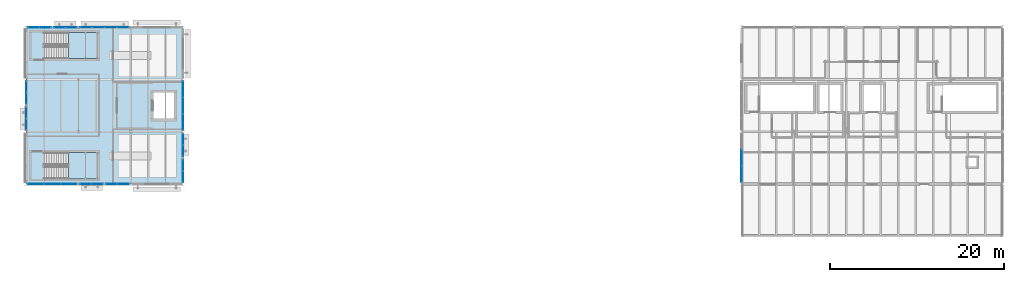
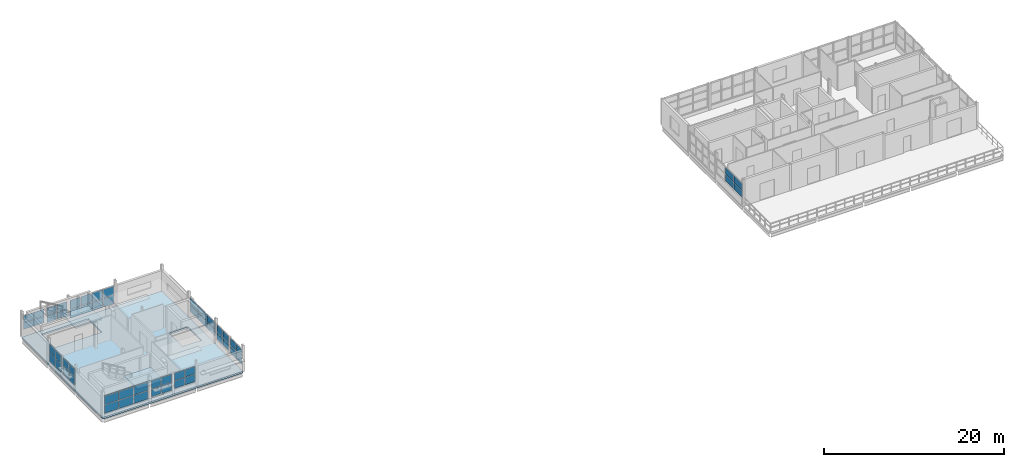
# One storey, part 10 of 20: 56 plates, 3 slabs, 14 elements without a shape of their own.
"""IFC4 building model written with IfcOpenShell, lengths in metres."""

import ifcopenshell
import ifcopenshell.guid

model = None  # the IFC model being written
_history = None  # IfcOwnerHistory: only IFC2X3 demands one
_inside = {}  # id of a spatial element -> (the spatial element, [elements in it])
_under = {}  # id of a project, library or spatial element -> (it, [spatial elements below it])
_declared = {}  # id of a project -> (the project, [libraries it declares])
_typed = {}  # id of a type object -> (the type object, [elements of that type])
_made_of = {}  # id of a material, layer set ... -> (it, [elements and type objects made of it])


def new_model(schema):
    """Start an empty IFC model of exactly this schema.

    Asked for "IFC4X3", IfcOpenShell would pick the latest addendum, in which some entities
    have other attributes; the version numbers below select the first issue.
    IFC2X3 requires an IfcOwnerHistory on every rooted entity: one is made here for all.
    """
    global model, _history
    if schema == "IFC4X3":
        model = ifcopenshell.file(schema_version=(4, 3, 0, 0))
    else:
        model = ifcopenshell.file(schema=schema)
    _inside.clear()
    _under.clear()
    _declared.clear()
    _typed.clear()
    _made_of.clear()
    _history = None
    if model.schema == "IFC2X3":
        org = make("IfcOrganization", Name="unknown")
        user = make(
            "IfcPersonAndOrganization",
            ThePerson=make("IfcPerson", FamilyName="unknown"),
            TheOrganization=org,
        )
        app = make(
            "IfcApplication",
            ApplicationDeveloper=org,
            Version="unknown",
            ApplicationFullName="unknown",
            ApplicationIdentifier="unknown",
        )
        _history = make(
            "IfcOwnerHistory",
            OwningUser=user,
            OwningApplication=app,
            ChangeAction="ADDED",
            CreationDate=0,
        )
    return model


def make(cls, **values):
    """One entity of the class cls with the attributes given. An attribute that is None is left unset."""
    return model.create_entity(
        cls, **{name: value for name, value in values.items() if value is not None}
    )


def rooted(cls, **values):
    """An entity with a GlobalId (a new one), such as an element, a storey or a relation."""
    return make(cls, GlobalId=ifcopenshell.guid.new(), OwnerHistory=_history, **values)


def si_unit(unit_type, name, prefix=None):
    """IfcSIUnit, for example si_unit("LENGTHUNIT", "METRE", prefix="MILLI")."""
    return make("IfcSIUnit", UnitType=unit_type, Prefix=prefix, Name=name)


def assignment(units):
    """IfcUnitAssignment: the units of a project."""
    return None if units is None else make("IfcUnitAssignment", Units=units)


def point(xyz):
    """IfcCartesianPoint."""
    return None if xyz is None else make("IfcCartesianPoint", Coordinates=xyz)


def direction(xyz):
    """IfcDirection."""
    return None if xyz is None else make("IfcDirection", DirectionRatios=xyz)


def frame(location, z_axis=None, x_axis=None):
    """IfcAxis2Placement3D, a coordinate frame: its origin and axes. An axis left out is left unset."""
    return make(
        "IfcAxis2Placement3D",
        Location=point(location),
        Axis=direction(z_axis),
        RefDirection=direction(x_axis),
    )


def frame_2d(location, x_axis=None):
    """IfcAxis2Placement2D, a coordinate frame in the plane: its origin and x axis."""
    return make(
        "IfcAxis2Placement2D", Location=point(location), RefDirection=direction(x_axis)
    )


def origin():
    """The frame at (0, 0, 0) with its axes left unset."""
    return frame((0.0, 0.0, 0.0))


def origin_2d():
    """The frame at (0, 0) in the plane with its x axis left unset."""
    return frame_2d((0.0, 0.0))


def place(relative_to, where):
    """IfcLocalPlacement: puts the frame where relative to a parent placement (None: the world)."""
    return make(
        "IfcLocalPlacement", PlacementRelTo=relative_to, RelativePlacement=where
    )


def context(
    kind, dimensions, precision=None, world=None, true_north=None, identifier=None
):
    """IfcGeometricRepresentationContext, for example the 3D "Model" context."""
    return make(
        "IfcGeometricRepresentationContext",
        ContextIdentifier=identifier,
        ContextType=kind,
        CoordinateSpaceDimension=dimensions,
        Precision=precision,
        WorldCoordinateSystem=world,
        TrueNorth=true_north,
    )


def subcontext(parent, identifier, kind, view, scale=None):
    """IfcGeometricRepresentationSubContext, for example "Body" below "Model"."""
    return make(
        "IfcGeometricRepresentationSubContext",
        ContextIdentifier=identifier,
        ContextType=kind,
        ParentContext=parent,
        TargetScale=scale,
        TargetView=view,
    )


def project(units=None, contexts=None):
    """IfcProject with its units and contexts."""
    return rooted(
        "IfcProject",
        Name="project",
        RepresentationContexts=contexts,
        UnitsInContext=assignment(units),
    )


def spatial(cls, under=None, at=None, **own):
    """A site, building, storey or space (cls), placed at a placement, below another one or the project."""
    s = rooted(cls, ObjectPlacement=at, **own)
    if under is not None:
        _under.setdefault(under.id(), (under, []))[1].append(s)
    return s


def polyline(points):
    """IfcPolyline through the points."""
    return make("IfcPolyline", Points=[point(p) for p in points])


def profile(cls, at=None, kind="AREA", **sizes):
    """A parametric profile (cls). Its sizes go by their IFC names, for example OverallWidth=200.0."""
    return make(cls, ProfileType=kind, Position=at, **sizes)


def rectangle(**sizes):
    """IfcRectangleProfileDef."""
    return profile("IfcRectangleProfileDef", **sizes)


def outline(outer, holes=None, kind="AREA"):
    """IfcArbitraryClosedProfileDef: a profile drawn as a closed curve; with holes, ...WithVoids."""
    if holes is None:
        return make("IfcArbitraryClosedProfileDef", ProfileType=kind, OuterCurve=outer)
    return make(
        "IfcArbitraryProfileDefWithVoids",
        ProfileType=kind,
        OuterCurve=outer,
        InnerCurves=holes,
    )


def extrude(swept, where, along, depth):
    """IfcExtrudedAreaSolid: the profile swept, set in the frame where, extruded along a direction by depth."""
    return make(
        "IfcExtrudedAreaSolid",
        SweptArea=swept,
        Position=where,
        ExtrudedDirection=direction(along),
        Depth=depth,
    )


def shape(context_of_items, identifier, shape_type, items):
    """IfcShapeRepresentation: the items that make up one representation, for example the "Body"."""
    return make(
        "IfcShapeRepresentation",
        ContextOfItems=context_of_items,
        RepresentationIdentifier=identifier,
        RepresentationType=shape_type,
        Items=items,
    )


def material(Name=None, Category=None):
    """IfcMaterial."""
    return make("IfcMaterial", Name=Name, Category=Category)


def layer(
    of_material, thickness, ventilated=None, Name=None, Category=None, Priority=None
):
    """IfcMaterialLayer: one layer of a wall or slab, of a material (None: an air gap)."""
    return make(
        "IfcMaterialLayer",
        Material=of_material,
        LayerThickness=thickness,
        IsVentilated=ventilated,
        Name=Name,
        Category=Category,
        Priority=Priority,
    )


def layer_set(layers, Name=None):
    """IfcMaterialLayerSet."""
    return make("IfcMaterialLayerSet", MaterialLayers=layers, LayerSetName=Name)


def made_of(thing, what):
    """Note that an element or type object is made of a material, layer set ...; save() writes the relation."""
    if what is not None:
        _made_of.setdefault(what.id(), (what, []))[1].append(thing)
    return thing


def type_object(cls, material=None, **own):
    """A type object (cls), such as IfcWallType, which elements share."""
    return made_of(rooted(cls, **own), material)


def element(
    cls,
    number,
    at=None,
    inside=None,
    cuts=None,
    type_object=None,
    material=None,
    context=None,
    identifier="Body",
    shape_type=None,
    held_by="IfcProductDefinitionShape",
    body=None,
    shapes=None,
    **own,
):
    """One element of the class cls, such as IfcWall. Its Tag is "e" and its number.

    at: its placement. inside: the storey or other place that contains it. cuts: it is an
    opening in that element (IfcRelVoidsElement). A single representation is given by context,
    identifier, shape_type and body (its items); several are given by shapes. held_by: the class
    of the entity that holds the representations. save() writes the other relations.
    """
    e = rooted(cls, Tag="e%d" % number, ObjectPlacement=at, **own)
    if body is not None:
        shapes = [shape(context, identifier, shape_type, body)]
    if shapes is not None:
        e.Representation = make(held_by, Representations=shapes)
    if inside is not None:
        _inside.setdefault(inside.id(), (inside, []))[1].append(e)
    if cuts is not None:
        rooted(
            "IfcRelVoidsElement", RelatingBuildingElement=cuts, RelatedOpeningElement=e
        )
    if type_object is not None:
        _typed.setdefault(type_object.id(), (type_object, []))[1].append(e)
    return made_of(e, material)


def aggregate(whole, parts):
    """IfcRelAggregates: a whole, such as a stair, and the parts it consists of."""
    return rooted("IfcRelAggregates", RelatingObject=whole, RelatedObjects=parts)


def save(model, path):
    """Write the relations noted so far, then the file.

    IfcRelAggregates (storeys below a building ...), IfcRelContainedInSpatialStructure (elements
    in a storey), IfcRelDefinesByType, IfcRelAssociatesMaterial and IfcRelDeclares: one each for
    every whole, place, type object, material and project.
    """
    for whole, parts in _under.values():
        aggregate(whole, parts)
    for where, things in _inside.values():
        rooted(
            "IfcRelContainedInSpatialStructure",
            RelatedElements=things,
            RelatingStructure=where,
        )
    for kind, things in _typed.values():
        rooted("IfcRelDefinesByType", RelatedObjects=things, RelatingType=kind)
    for what, things in _made_of.values():
        rooted("IfcRelAssociatesMaterial", RelatedObjects=things, RelatingMaterial=what)
    for by, libraries in _declared.values():
        rooted("IfcRelDeclares", RelatingContext=by, RelatedDefinitions=libraries)
    model.write(path)


model = new_model("IFC4")

# Units and contexts
model_context = context("Model", 3, precision=1e-05, world=origin(), true_north=direction((0.0, 1.0)))
body_context = subcontext(model_context, "Body", "Model", "MODEL_VIEW")
ifc_project = project(units=[si_unit("LENGTHUNIT", "METRE"), si_unit("AREAUNIT", "SQUARE_METRE"), si_unit("VOLUMEUNIT", "CUBIC_METRE"), si_unit("PLANEANGLEUNIT", "RADIAN"), si_unit("MASSUNIT", "GRAM", prefix="KILO")], contexts=[model_context])

# Site, building, storey
site_placement = place(None, origin())
site = spatial("IfcSite", under=ifc_project, at=site_placement, CompositionType="ELEMENT")
building_placement = place(site_placement, origin())
building = spatial("IfcBuilding", under=site, at=building_placement, Name="Siltcreek Boulevard Central Fire Station", CompositionType="ELEMENT")
storey_placement = place(building_placement, frame((0.0, 0.0, 18.0)))
storey = spatial("IfcBuildingStorey", under=building, at=storey_placement, Name="L05", CompositionType="ELEMENT", Elevation=18.0)

# Curtain wall, plates
ifc_material_1 = material(Name="Anodized aluminum and low-E insulated glazing", Category="aluminium")
curtain_wall_type_1 = type_object("IfcCurtainWallType", Name="CW_SYS_10", PredefinedType="USERDEFINED", material=ifc_material_1)
curtain_wall_1_placement = place(storey_placement, origin())
curtain_wall_1 = element("IfcCurtainWall", 1, at=curtain_wall_1_placement, inside=storey, type_object=curtain_wall_type_1, Name="L05 V3 unitised curtain wall CW-069", ObjectType="CURTAIN WALL", PredefinedType="USERDEFINED")
ifc_material_2 = material(Name="Low-E double insulated glass unit", Category="glass")
ifc_layer_1 = layer(ifc_material_2, 0.028076171875, Name="Low-E double insulated glass unit")
ifc_layer_set_1 = layer_set([ifc_layer_1], Name="Low-E double insulated glass unit")
plate_type_1 = type_object("IfcPlateType", Name="CWP_GLZ_1", PredefinedType="CURTAIN_PANEL", material=ifc_layer_set_1)
plate_1_placement = place(storey_placement, frame((51.833740234375, 94.199951171875, 0.739990234375), z_axis=(0.0, 0.0, 1.0), x_axis=(1.0, 0.0, 0.0)))
plate_1 = element("IfcPlate", 2, at=plate_1_placement, type_object=plate_type_1, Name="CW-069 panel 1.1", PredefinedType="CURTAIN_PANEL", context=body_context, shape_type="SweptSolid", body=[
    extrude(rectangle(XDim=1.267578125, YDim=0.028076171875, at=origin_2d()), origin(), (0.0, 0.0, 1.0), 1.00439453125),
])
plate_2_placement = place(storey_placement, frame((51.833740234375, 94.199951171875, 1.804443359375), z_axis=(0.0, 0.0, 1.0), x_axis=(1.0, 0.0, 0.0)))
plate_2 = element("IfcPlate", 3, at=plate_2_placement, type_object=plate_type_1, Name="CW-069 panel 1.2", PredefinedType="CURTAIN_PANEL", context=body_context, shape_type="SweptSolid", body=[
    extrude(rectangle(XDim=1.267578125, YDim=0.028076171875, at=origin_2d()), origin(), (0.0, 0.0, 1.0), 1.00439453125),
])
plate_3_placement = place(storey_placement, frame((53.1611328125, 94.199951171875, 0.739990234375), z_axis=(0.0, 0.0, 1.0), x_axis=(1.0, 0.0, 0.0)))
plate_3 = element("IfcPlate", 4, at=plate_3_placement, type_object=plate_type_1, Name="CW-069 panel 2.1", PredefinedType="CURTAIN_PANEL", context=body_context, shape_type="SweptSolid", body=[
    extrude(rectangle(XDim=1.267578125, YDim=0.028076171875, at=origin_2d()), origin(), (0.0, 0.0, 1.0), 1.00439453125),
])
plate_4_placement = place(storey_placement, frame((53.1611328125, 94.199951171875, 1.804443359375), z_axis=(0.0, 0.0, 1.0), x_axis=(1.0, 0.0, 0.0)))
plate_4 = element("IfcPlate", 5, at=plate_4_placement, type_object=plate_type_1, Name="CW-069 panel 2.2", PredefinedType="CURTAIN_PANEL", context=body_context, shape_type="SweptSolid", body=[
    extrude(rectangle(XDim=1.267578125, YDim=0.028076171875, at=origin_2d()), origin(), (0.0, 0.0, 1.0), 1.00439453125),
])
aggregate(curtain_wall_1, [plate_1, plate_2, plate_3, plate_4])

curtain_wall_type_2 = type_object("IfcCurtainWallType", Name="CW_SYS_13", PredefinedType="USERDEFINED", material=ifc_material_1)
curtain_wall_2_placement = place(storey_placement, origin())
curtain_wall_2 = element("IfcCurtainWall", 6, at=curtain_wall_2_placement, inside=storey, type_object=curtain_wall_type_2, Name="L05 V3 unitised curtain wall CW-072", ObjectType="CURTAIN WALL", PredefinedType="USERDEFINED")
plate_5_placement = place(storey_placement, frame((53.125, 112.199951171875, 0.384765625), z_axis=(0.0, 0.0, 1.0), x_axis=(-1.0, 0.0, 0.0)))
plate_5 = element("IfcPlate", 7, at=plate_5_placement, type_object=plate_type_1, Name="CW-072 panel 1.1", PredefinedType="CURTAIN_PANEL", context=body_context, shape_type="SweptSolid", body=[
    extrude(rectangle(XDim=1.330078125, YDim=0.028076171875, at=origin_2d()), origin(), (0.0, 0.0, 1.0), 1.177001953125),
])
plate_6_placement = place(storey_placement, frame((53.125, 112.199951171875, 1.626953125), z_axis=(0.0, 0.0, 1.0), x_axis=(-1.0, 0.0, 0.0)))
plate_6 = element("IfcPlate", 8, at=plate_6_placement, type_object=plate_type_1, Name="CW-072 panel 1.2", PredefinedType="CURTAIN_PANEL", context=body_context, shape_type="SweptSolid", body=[
    extrude(rectangle(XDim=1.330078125, YDim=0.028076171875, at=origin_2d()), origin(), (0.0, 0.0, 1.0), 1.177001953125),
])
plate_7_placement = place(storey_placement, frame((51.7138671875, 112.199951171875, 0.384765625), z_axis=(0.0, 0.0, 1.0), x_axis=(-1.0, 0.0, 0.0)))
plate_7 = element("IfcPlate", 9, at=plate_7_placement, type_object=plate_type_1, Name="CW-072 panel 2.1", PredefinedType="CURTAIN_PANEL", context=body_context, shape_type="SweptSolid", body=[
    extrude(rectangle(XDim=1.362548828125, YDim=0.028076171875, at=origin_2d()), origin(), (0.0, 0.0, 1.0), 1.177001953125),
])
plate_8_placement = place(storey_placement, frame((51.7138671875, 112.199951171875, 1.626953125), z_axis=(0.0, 0.0, 1.0), x_axis=(-1.0, 0.0, 0.0)))
plate_8 = element("IfcPlate", 10, at=plate_8_placement, type_object=plate_type_1, Name="CW-072 panel 2.2", PredefinedType="CURTAIN_PANEL", context=body_context, shape_type="SweptSolid", body=[
    extrude(rectangle(XDim=1.362548828125, YDim=0.028076171875, at=origin_2d()), origin(), (0.0, 0.0, 1.0), 1.177001953125),
])
plate_9_placement = place(storey_placement, frame((50.2861328125, 112.199951171875, 0.384765625), z_axis=(0.0, 0.0, 1.0), x_axis=(-1.0, 0.0, 0.0)))
plate_9 = element("IfcPlate", 11, at=plate_9_placement, type_object=plate_type_1, Name="CW-072 panel 3.1", PredefinedType="CURTAIN_PANEL", context=body_context, shape_type="SweptSolid", body=[
    extrude(rectangle(XDim=1.362548828125, YDim=0.028076171875, at=origin_2d()), origin(), (0.0, 0.0, 1.0), 1.177001953125),
])
plate_10_placement = place(storey_placement, frame((50.2861328125, 112.199951171875, 1.626953125), z_axis=(0.0, 0.0, 1.0), x_axis=(-1.0, 0.0, 0.0)))
plate_10 = element("IfcPlate", 12, at=plate_10_placement, type_object=plate_type_1, Name="CW-072 panel 3.2", PredefinedType="CURTAIN_PANEL", context=body_context, shape_type="SweptSolid", body=[
    extrude(rectangle(XDim=1.362548828125, YDim=0.028076171875, at=origin_2d()), origin(), (0.0, 0.0, 1.0), 1.177001953125),
])
plate_11_placement = place(storey_placement, frame((48.875, 112.199951171875, 0.384765625), z_axis=(0.0, 0.0, 1.0), x_axis=(-1.0, 0.0, 0.0)))
plate_11 = element("IfcPlate", 13, at=plate_11_placement, type_object=plate_type_1, Name="CW-072 panel 4.1", PredefinedType="CURTAIN_PANEL", context=body_context, shape_type="SweptSolid", body=[
    extrude(rectangle(XDim=1.330078125, YDim=0.028076171875, at=origin_2d()), origin(), (0.0, 0.0, 1.0), 1.177001953125),
])
plate_12_placement = place(storey_placement, frame((48.875, 112.199951171875, 1.626953125), z_axis=(0.0, 0.0, 1.0), x_axis=(-1.0, 0.0, 0.0)))
plate_12 = element("IfcPlate", 14, at=plate_12_placement, type_object=plate_type_1, Name="CW-072 panel 4.2", PredefinedType="CURTAIN_PANEL", context=body_context, shape_type="SweptSolid", body=[
    extrude(rectangle(XDim=1.330078125, YDim=0.028076171875, at=origin_2d()), origin(), (0.0, 0.0, 1.0), 1.177001953125),
])
aggregate(curtain_wall_2, [plate_5, plate_6, plate_7, plate_8, plate_9, plate_10, plate_11, plate_12])

curtain_wall_type_3 = type_object("IfcCurtainWallType", Name="CW_SYS_16", PredefinedType="USERDEFINED", material=ifc_material_1)
curtain_wall_3_placement = place(storey_placement, origin())
curtain_wall_3 = element("IfcCurtainWall", 15, at=curtain_wall_3_placement, inside=storey, type_object=curtain_wall_type_3, Name="L05 V3 unitised curtain wall CW-075", ObjectType="CURTAIN WALL", PredefinedType="USERDEFINED")
plate_13_placement = place(storey_placement, frame((60.0, 95.038818359375, 0.73974609375), z_axis=(0.0, 0.0, 1.0), x_axis=(0.0, 1.0, 0.0)))
plate_13 = element("IfcPlate", 16, at=plate_13_placement, type_object=plate_type_1, Name="CW-075 panel 1.1", PredefinedType="CURTAIN_PANEL", context=body_context, shape_type="SweptSolid", body=[
    extrude(rectangle(XDim=1.267578125, YDim=0.028076171875, at=origin_2d()), origin(), (0.0, 0.0, 1.0), 1.006591796875),
])
plate_14_placement = place(storey_placement, frame((60.0, 95.038818359375, 1.806640625), z_axis=(0.0, 0.0, 1.0), x_axis=(0.0, 1.0, 0.0)))
plate_14 = element("IfcPlate", 17, at=plate_14_placement, type_object=plate_type_1, Name="CW-075 panel 1.2", PredefinedType="CURTAIN_PANEL", context=body_context, shape_type="SweptSolid", body=[
    extrude(rectangle(XDim=1.267578125, YDim=0.028076171875, at=origin_2d()), origin(), (0.0, 0.0, 1.0), 1.006591796875),
])
plate_15_placement = place(storey_placement, frame((60.0, 96.3662109375, 0.73974609375), z_axis=(0.0, 0.0, 1.0), x_axis=(0.0, 1.0, 0.0)))
plate_15 = element("IfcPlate", 18, at=plate_15_placement, type_object=plate_type_1, Name="CW-075 panel 2.1", PredefinedType="CURTAIN_PANEL", context=body_context, shape_type="SweptSolid", body=[
    extrude(rectangle(XDim=1.267578125, YDim=0.028076171875, at=origin_2d()), origin(), (0.0, 0.0, 1.0), 1.006591796875),
])
plate_16_placement = place(storey_placement, frame((60.0, 96.3662109375, 1.806640625), z_axis=(0.0, 0.0, 1.0), x_axis=(0.0, 1.0, 0.0)))
plate_16 = element("IfcPlate", 19, at=plate_16_placement, type_object=plate_type_1, Name="CW-075 panel 2.2", PredefinedType="CURTAIN_PANEL", context=body_context, shape_type="SweptSolid", body=[
    extrude(rectangle(XDim=1.267578125, YDim=0.028076171875, at=origin_2d()), origin(), (0.0, 0.0, 1.0), 1.006591796875),
])
aggregate(curtain_wall_3, [plate_13, plate_14, plate_15, plate_16])

curtain_wall_type_4 = type_object("IfcCurtainWallType", Name="CW_SYS_08", PredefinedType="USERDEFINED", material=ifc_material_1)
curtain_wall_4_placement = place(storey_placement, origin())
curtain_wall_4 = element("IfcCurtainWall", 20, at=curtain_wall_4_placement, inside=storey, type_object=curtain_wall_type_4, Name="L05 V3 unitised curtain wall CW-067", ObjectType="CURTAIN WALL", PredefinedType="USERDEFINED")
ifc_layer_2 = layer(ifc_material_2, 0.0380859375, Name="Low-E double insulated glass unit")
ifc_layer_set_2 = layer_set([ifc_layer_2], Name="Low-E double insulated glass unit")
plate_type_2 = type_object("IfcPlateType", Name="CWP_GLZ_2", PredefinedType="CURTAIN_PANEL", material=ifc_layer_set_2)
plate_17_placement = place(storey_placement, frame((43.111572265625, 94.199951171875, 0.5), z_axis=(0.0, 0.0, 1.0), x_axis=(1.0, 0.0, 0.0)))
plate_17 = element("IfcPlate", 21, at=plate_17_placement, type_object=plate_type_2, Name="CW-067 panel 1.1", PredefinedType="CURTAIN_PANEL", context=body_context, shape_type="SweptSolid", body=[
    extrude(rectangle(XDim=1.813232421875, YDim=0.0380859375, at=origin_2d()), origin(), (0.0, 0.0, 1.0), 1.12451171875),
])
plate_18_placement = place(storey_placement, frame((43.111572265625, 94.199951171875, 1.6845703125), z_axis=(0.0, 0.0, 1.0), x_axis=(1.0, 0.0, 0.0)))
plate_18 = element("IfcPlate", 22, at=plate_18_placement, type_object=plate_type_2, Name="CW-067 panel 1.2", PredefinedType="CURTAIN_PANEL", context=body_context, shape_type="SweptSolid", body=[
    extrude(rectangle(XDim=1.813232421875, YDim=0.0380859375, at=origin_2d()), origin(), (0.0, 0.0, 1.0), 1.12451171875),
])
plate_19_placement = place(storey_placement, frame((45.0, 94.199951171875, 0.5), z_axis=(0.0, 0.0, 1.0), x_axis=(1.0, 0.0, 0.0)))
plate_19 = element("IfcPlate", 23, at=plate_19_placement, type_object=plate_type_2, Name="CW-067 panel 2.1", PredefinedType="CURTAIN_PANEL", context=body_context, shape_type="SweptSolid", body=[
    extrude(rectangle(XDim=1.84326171875, YDim=0.0380859375, at=origin_2d()), origin(), (0.0, 0.0, 1.0), 1.12451171875),
])
plate_20_placement = place(storey_placement, frame((45.0, 94.199951171875, 1.6845703125), z_axis=(0.0, 0.0, 1.0), x_axis=(1.0, 0.0, 0.0)))
plate_20 = element("IfcPlate", 24, at=plate_20_placement, type_object=plate_type_2, Name="CW-067 panel 2.2", PredefinedType="CURTAIN_PANEL", context=body_context, shape_type="SweptSolid", body=[
    extrude(rectangle(XDim=1.84326171875, YDim=0.0380859375, at=origin_2d()), origin(), (0.0, 0.0, 1.0), 1.12451171875),
])
plate_21_placement = place(storey_placement, frame((46.888427734375, 94.199951171875, 0.5), z_axis=(0.0, 0.0, 1.0), x_axis=(1.0, 0.0, 0.0)))
plate_21 = element("IfcPlate", 25, at=plate_21_placement, type_object=plate_type_2, Name="CW-067 panel 3.1", PredefinedType="CURTAIN_PANEL", context=body_context, shape_type="SweptSolid", body=[
    extrude(rectangle(XDim=1.813232421875, YDim=0.0380859375, at=origin_2d()), origin(), (0.0, 0.0, 1.0), 1.12451171875),
])
plate_22_placement = place(storey_placement, frame((46.888427734375, 94.199951171875, 1.6845703125), z_axis=(0.0, 0.0, 1.0), x_axis=(1.0, 0.0, 0.0)))
plate_22 = element("IfcPlate", 26, at=plate_22_placement, type_object=plate_type_2, Name="CW-067 panel 3.2", PredefinedType="CURTAIN_PANEL", context=body_context, shape_type="SweptSolid", body=[
    extrude(rectangle(XDim=1.813232421875, YDim=0.0380859375, at=origin_2d()), origin(), (0.0, 0.0, 1.0), 1.12451171875),
])
aggregate(curtain_wall_4, [plate_17, plate_18, plate_19, plate_20, plate_21, plate_22])

curtain_wall_type_5 = type_object("IfcCurtainWallType", Name="CW_SYS_11", PredefinedType="USERDEFINED", material=ifc_material_1)
curtain_wall_5_placement = place(storey_placement, origin())
curtain_wall_5 = element("IfcCurtainWall", 27, at=curtain_wall_5_placement, inside=storey, type_object=curtain_wall_type_5, Name="L05 V3 unitised curtain wall CW-070", ObjectType="CURTAIN WALL", PredefinedType="USERDEFINED")
plate_23_placement = place(storey_placement, frame((47.159912109375, 112.199951171875, 0.864990234375), z_axis=(0.0, 0.0, 1.0), x_axis=(-1.0, 0.0, 0.0)))
plate_23 = element("IfcPlate", 28, at=plate_23_placement, type_object=plate_type_2, Name="CW-070 panel 1.1", PredefinedType="CURTAIN_PANEL", context=body_context, shape_type="SweptSolid", body=[
    extrude(rectangle(XDim=1.260009765625, YDim=0.0380859375, at=origin_2d()), origin(), (0.0, 0.0, 1.0), 0.93701171875),
])
plate_24_placement = place(storey_placement, frame((47.159912109375, 112.199951171875, 1.866943359375), z_axis=(0.0, 0.0, 1.0), x_axis=(-1.0, 0.0, 0.0)))
plate_24 = element("IfcPlate", 29, at=plate_24_placement, type_object=plate_type_2, Name="CW-070 panel 1.2", PredefinedType="CURTAIN_PANEL", context=body_context, shape_type="SweptSolid", body=[
    extrude(rectangle(XDim=1.260009765625, YDim=0.0380859375, at=origin_2d()), origin(), (0.0, 0.0, 1.0), 0.93701171875),
])
plate_25_placement = place(storey_placement, frame((45.8349609375, 112.199951171875, 0.864990234375), z_axis=(0.0, 0.0, 1.0), x_axis=(-1.0, 0.0, 0.0)))
plate_25 = element("IfcPlate", 30, at=plate_25_placement, type_object=plate_type_2, Name="CW-070 panel 2.1", PredefinedType="CURTAIN_PANEL", context=body_context, shape_type="SweptSolid", body=[
    extrude(rectangle(XDim=1.260009765625, YDim=0.0380859375, at=origin_2d()), origin(), (0.0, 0.0, 1.0), 0.93701171875),
])
plate_26_placement = place(storey_placement, frame((45.8349609375, 112.199951171875, 1.866943359375), z_axis=(0.0, 0.0, 1.0), x_axis=(-1.0, 0.0, 0.0)))
plate_26 = element("IfcPlate", 31, at=plate_26_placement, type_object=plate_type_2, Name="CW-070 panel 2.2", PredefinedType="CURTAIN_PANEL", context=body_context, shape_type="SweptSolid", body=[
    extrude(rectangle(XDim=1.260009765625, YDim=0.0380859375, at=origin_2d()), origin(), (0.0, 0.0, 1.0), 0.93701171875),
])
aggregate(curtain_wall_5, [plate_23, plate_24, plate_25, plate_26])

curtain_wall_type_6 = type_object("IfcCurtainWallType", Name="CW_SYS_14", PredefinedType="USERDEFINED", material=ifc_material_1)
curtain_wall_6_placement = place(storey_placement, origin())
curtain_wall_6 = element("IfcCurtainWall", 32, at=curtain_wall_6_placement, inside=storey, type_object=curtain_wall_type_6, Name="L05 V3 unitised curtain wall CW-073", ObjectType="CURTAIN WALL", PredefinedType="USERDEFINED")
plate_27_placement = place(storey_placement, frame((42.0, 105.361328125, 0.5), z_axis=(0.0, 0.0, 1.0), x_axis=(0.0, -1.0, 0.0)))
plate_27 = element("IfcPlate", 33, at=plate_27_placement, type_object=plate_type_2, Name="CW-073 panel 1.1", PredefinedType="CURTAIN_PANEL", context=body_context, shape_type="SweptSolid", body=[
    extrude(rectangle(XDim=1.267578125, YDim=0.0380859375, at=origin_2d()), origin(), (0.0, 0.0, 1.0), 1.12646484375),
])
plate_28_placement = place(storey_placement, frame((42.0, 105.361328125, 1.6865234375), z_axis=(0.0, 0.0, 1.0), x_axis=(0.0, -1.0, 0.0)))
plate_28 = element("IfcPlate", 34, at=plate_28_placement, type_object=plate_type_2, Name="CW-073 panel 1.2", PredefinedType="CURTAIN_PANEL", context=body_context, shape_type="SweptSolid", body=[
    extrude(rectangle(XDim=1.267578125, YDim=0.0380859375, at=origin_2d()), origin(), (0.0, 0.0, 1.0), 1.12646484375),
])
plate_29_placement = place(storey_placement, frame((42.0, 104.03369140625, 0.5), z_axis=(0.0, 0.0, 1.0), x_axis=(0.0, -1.0, 0.0)))
plate_29 = element("IfcPlate", 35, at=plate_29_placement, type_object=plate_type_2, Name="CW-073 panel 2.1", PredefinedType="CURTAIN_PANEL", context=body_context, shape_type="SweptSolid", body=[
    extrude(rectangle(XDim=1.267578125, YDim=0.0380859375, at=origin_2d()), origin(), (0.0, 0.0, 1.0), 1.12646484375),
])
plate_30_placement = place(storey_placement, frame((42.0, 104.03369140625, 1.6865234375), z_axis=(0.0, 0.0, 1.0), x_axis=(0.0, -1.0, 0.0)))
plate_30 = element("IfcPlate", 36, at=plate_30_placement, type_object=plate_type_2, Name="CW-073 panel 2.2", PredefinedType="CURTAIN_PANEL", context=body_context, shape_type="SweptSolid", body=[
    extrude(rectangle(XDim=1.267578125, YDim=0.0380859375, at=origin_2d()), origin(), (0.0, 0.0, 1.0), 1.12646484375),
])
aggregate(curtain_wall_6, [plate_27, plate_28, plate_29, plate_30])

curtain_wall_type_7 = type_object("IfcCurtainWallType", Name="CW_SYS_17", PredefinedType="USERDEFINED", material=ifc_material_1)
curtain_wall_7_placement = place(storey_placement, origin())
curtain_wall_7 = element("IfcCurtainWall", 37, at=curtain_wall_7_placement, inside=storey, type_object=curtain_wall_type_7, Name="L05 V3 unitised curtain wall CW-076", ObjectType="CURTAIN WALL", PredefinedType="USERDEFINED")
plate_31_placement = place(storey_placement, frame((60.0, 98.034912109375, 0.864990234375), z_axis=(0.0, 0.0, 1.0), x_axis=(0.0, 1.0, 0.0)))
plate_31 = element("IfcPlate", 38, at=plate_31_placement, type_object=plate_type_2, Name="CW-076 panel 1.1", PredefinedType="CURTAIN_PANEL", context=body_context, shape_type="SweptSolid", body=[
    extrude(rectangle(XDim=1.260009765625, YDim=0.0380859375, at=origin_2d()), origin(), (0.0, 0.0, 1.0), 0.93896484375),
])
plate_32_placement = place(storey_placement, frame((60.0, 98.034912109375, 1.868896484375), z_axis=(0.0, 0.0, 1.0), x_axis=(0.0, 1.0, 0.0)))
plate_32 = element("IfcPlate", 39, at=plate_32_placement, type_object=plate_type_2, Name="CW-076 panel 1.2", PredefinedType="CURTAIN_PANEL", context=body_context, shape_type="SweptSolid", body=[
    extrude(rectangle(XDim=1.260009765625, YDim=0.0380859375, at=origin_2d()), origin(), (0.0, 0.0, 1.0), 0.93896484375),
])
plate_33_placement = place(storey_placement, frame((60.0, 99.360107421875, 0.864990234375), z_axis=(0.0, 0.0, 1.0), x_axis=(0.0, 1.0, 0.0)))
plate_33 = element("IfcPlate", 40, at=plate_33_placement, type_object=plate_type_2, Name="CW-076 panel 2.1", PredefinedType="CURTAIN_PANEL", context=body_context, shape_type="SweptSolid", body=[
    extrude(rectangle(XDim=1.260009765625, YDim=0.0380859375, at=origin_2d()), origin(), (0.0, 0.0, 1.0), 0.93896484375),
])
plate_34_placement = place(storey_placement, frame((60.0, 99.360107421875, 1.868896484375), z_axis=(0.0, 0.0, 1.0), x_axis=(0.0, 1.0, 0.0)))
plate_34 = element("IfcPlate", 41, at=plate_34_placement, type_object=plate_type_2, Name="CW-076 panel 2.2", PredefinedType="CURTAIN_PANEL", context=body_context, shape_type="SweptSolid", body=[
    extrude(rectangle(XDim=1.260009765625, YDim=0.0380859375, at=origin_2d()), origin(), (0.0, 0.0, 1.0), 0.93896484375),
])
aggregate(curtain_wall_7, [plate_31, plate_32, plate_33, plate_34])

curtain_wall_type_8 = type_object("IfcCurtainWallType", Name="CW_SYS_09", PredefinedType="USERDEFINED", material=ifc_material_1)
curtain_wall_8_placement = place(storey_placement, origin())
curtain_wall_8 = element("IfcCurtainWall", 42, at=curtain_wall_8_placement, inside=storey, type_object=curtain_wall_type_8, Name="L05 V3 unitised curtain wall CW-068", ObjectType="CURTAIN WALL", PredefinedType="USERDEFINED")
ifc_layer_3 = layer(ifc_material_2, 0.048095703125, Name="Low-E double insulated glass unit")
ifc_layer_set_3 = layer_set([ifc_layer_3], Name="Low-E double insulated glass unit")
plate_type_3 = type_object("IfcPlateType", Name="CWP_GLZ_3", PredefinedType="CURTAIN_PANEL", material=ifc_layer_set_3)
plate_35_placement = place(storey_placement, frame((48.840087890625, 94.199951171875, 0.625), z_axis=(0.0, 0.0, 1.0), x_axis=(1.0, 0.0, 0.0)))
plate_35 = element("IfcPlate", 43, at=plate_35_placement, type_object=plate_type_3, Name="CW-068 panel 1.1", PredefinedType="CURTAIN_PANEL", context=body_context, shape_type="SweptSolid", body=[
    extrude(rectangle(XDim=1.260009765625, YDim=0.048095703125, at=origin_2d()), origin(), (0.0, 0.0, 1.0), 1.056884765625),
])
plate_36_placement = place(storey_placement, frame((48.840087890625, 94.199951171875, 1.7470703125), z_axis=(0.0, 0.0, 1.0), x_axis=(1.0, 0.0, 0.0)))
plate_36 = element("IfcPlate", 44, at=plate_36_placement, type_object=plate_type_3, Name="CW-068 panel 1.2", PredefinedType="CURTAIN_PANEL", context=body_context, shape_type="SweptSolid", body=[
    extrude(rectangle(XDim=1.260009765625, YDim=0.048095703125, at=origin_2d()), origin(), (0.0, 0.0, 1.0), 1.056884765625),
])
plate_37_placement = place(storey_placement, frame((50.1650390625, 94.199951171875, 0.625), z_axis=(0.0, 0.0, 1.0), x_axis=(1.0, 0.0, 0.0)))
plate_37 = element("IfcPlate", 45, at=plate_37_placement, type_object=plate_type_3, Name="CW-068 panel 2.1", PredefinedType="CURTAIN_PANEL", context=body_context, shape_type="SweptSolid", body=[
    extrude(rectangle(XDim=1.260009765625, YDim=0.048095703125, at=origin_2d()), origin(), (0.0, 0.0, 1.0), 1.056884765625),
])
plate_38_placement = place(storey_placement, frame((50.1650390625, 94.199951171875, 1.7470703125), z_axis=(0.0, 0.0, 1.0), x_axis=(1.0, 0.0, 0.0)))
plate_38 = element("IfcPlate", 46, at=plate_38_placement, type_object=plate_type_3, Name="CW-068 panel 2.2", PredefinedType="CURTAIN_PANEL", context=body_context, shape_type="SweptSolid", body=[
    extrude(rectangle(XDim=1.260009765625, YDim=0.048095703125, at=origin_2d()), origin(), (0.0, 0.0, 1.0), 1.056884765625),
])
aggregate(curtain_wall_8, [plate_35, plate_36, plate_37, plate_38])

curtain_wall_type_9 = type_object("IfcCurtainWallType", Name="CW_SYS_12", PredefinedType="USERDEFINED", material=ifc_material_1)
curtain_wall_9_placement = place(storey_placement, origin())
curtain_wall_9 = element("IfcCurtainWall", 47, at=curtain_wall_9_placement, inside=storey, type_object=curtain_wall_type_9, Name="L05 V3 unitised curtain wall CW-071", ObjectType="CURTAIN WALL", PredefinedType="USERDEFINED")
plate_39_placement = place(storey_placement, frame((44.166259765625, 112.199951171875, 0.97998046875), z_axis=(0.0, 0.0, 1.0), x_axis=(-1.0, 0.0, 0.0)))
plate_39 = element("IfcPlate", 48, at=plate_39_placement, type_object=plate_type_3, Name="CW-071 panel 1.1", PredefinedType="CURTAIN_PANEL", context=body_context, shape_type="SweptSolid", body=[
    extrude(rectangle(XDim=1.267578125, YDim=0.048095703125, at=origin_2d()), origin(), (0.0, 0.0, 1.0), 0.884521484375),
])
plate_40_placement = place(storey_placement, frame((44.166259765625, 112.199951171875, 1.92431640625), z_axis=(0.0, 0.0, 1.0), x_axis=(-1.0, 0.0, 0.0)))
plate_40 = element("IfcPlate", 49, at=plate_40_placement, type_object=plate_type_3, Name="CW-071 panel 1.2", PredefinedType="CURTAIN_PANEL", context=body_context, shape_type="SweptSolid", body=[
    extrude(rectangle(XDim=1.267578125, YDim=0.048095703125, at=origin_2d()), origin(), (0.0, 0.0, 1.0), 0.884521484375),
])
plate_41_placement = place(storey_placement, frame((42.8388671875, 112.199951171875, 0.97998046875), z_axis=(0.0, 0.0, 1.0), x_axis=(-1.0, 0.0, 0.0)))
plate_41 = element("IfcPlate", 50, at=plate_41_placement, type_object=plate_type_3, Name="CW-071 panel 2.1", PredefinedType="CURTAIN_PANEL", context=body_context, shape_type="SweptSolid", body=[
    extrude(rectangle(XDim=1.267578125, YDim=0.048095703125, at=origin_2d()), origin(), (0.0, 0.0, 1.0), 0.884521484375),
])
plate_42_placement = place(storey_placement, frame((42.8388671875, 112.199951171875, 1.92431640625), z_axis=(0.0, 0.0, 1.0), x_axis=(-1.0, 0.0, 0.0)))
plate_42 = element("IfcPlate", 51, at=plate_42_placement, type_object=plate_type_3, Name="CW-071 panel 2.2", PredefinedType="CURTAIN_PANEL", context=body_context, shape_type="SweptSolid", body=[
    extrude(rectangle(XDim=1.267578125, YDim=0.048095703125, at=origin_2d()), origin(), (0.0, 0.0, 1.0), 0.884521484375),
])
aggregate(curtain_wall_9, [plate_39, plate_40, plate_41, plate_42])

curtain_wall_type_10 = type_object("IfcCurtainWallType", Name="CW_SYS_15", PredefinedType="USERDEFINED", material=ifc_material_1)
curtain_wall_10_placement = place(storey_placement, origin())
curtain_wall_10 = element("IfcCurtainWall", 52, at=curtain_wall_10_placement, inside=storey, type_object=curtain_wall_type_10, Name="L05 V3 unitised curtain wall CW-074", ObjectType="CURTAIN WALL", PredefinedType="USERDEFINED")
plate_43_placement = place(storey_placement, frame((42.0, 102.364990234375, 0.625), z_axis=(0.0, 0.0, 1.0), x_axis=(0.0, -1.0, 0.0)))
plate_43 = element("IfcPlate", 53, at=plate_43_placement, type_object=plate_type_3, Name="CW-074 panel 1.1", PredefinedType="CURTAIN_PANEL", context=body_context, shape_type="SweptSolid", body=[
    extrude(rectangle(XDim=1.260009765625, YDim=0.048095703125, at=origin_2d()), origin(), (0.0, 0.0, 1.0), 1.05908203125),
])
plate_44_placement = place(storey_placement, frame((42.0, 102.364990234375, 1.7490234375), z_axis=(0.0, 0.0, 1.0), x_axis=(0.0, -1.0, 0.0)))
plate_44 = element("IfcPlate", 54, at=plate_44_placement, type_object=plate_type_3, Name="CW-074 panel 1.2", PredefinedType="CURTAIN_PANEL", context=body_context, shape_type="SweptSolid", body=[
    extrude(rectangle(XDim=1.260009765625, YDim=0.048095703125, at=origin_2d()), origin(), (0.0, 0.0, 1.0), 1.05908203125),
])
plate_45_placement = place(storey_placement, frame((42.0, 101.0400390625, 0.625), z_axis=(0.0, 0.0, 1.0), x_axis=(0.0, -1.0, 0.0)))
plate_45 = element("IfcPlate", 55, at=plate_45_placement, type_object=plate_type_3, Name="CW-074 panel 2.1", PredefinedType="CURTAIN_PANEL", context=body_context, shape_type="SweptSolid", body=[
    extrude(rectangle(XDim=1.260009765625, YDim=0.048095703125, at=origin_2d()), origin(), (0.0, 0.0, 1.0), 1.05908203125),
])
plate_46_placement = place(storey_placement, frame((42.0, 101.0400390625, 1.7490234375), z_axis=(0.0, 0.0, 1.0), x_axis=(0.0, -1.0, 0.0)))
plate_46 = element("IfcPlate", 56, at=plate_46_placement, type_object=plate_type_3, Name="CW-074 panel 2.2", PredefinedType="CURTAIN_PANEL", context=body_context, shape_type="SweptSolid", body=[
    extrude(rectangle(XDim=1.260009765625, YDim=0.048095703125, at=origin_2d()), origin(), (0.0, 0.0, 1.0), 1.05908203125),
])
aggregate(curtain_wall_10, [plate_43, plate_44, plate_45, plate_46])

curtain_wall_type_11 = type_object("IfcCurtainWallType", Name="CW_SYS_18", PredefinedType="USERDEFINED", material=ifc_material_1)
curtain_wall_11_placement = place(storey_placement, origin())
curtain_wall_11 = element("IfcCurtainWall", 57, at=curtain_wall_11_placement, inside=storey, type_object=curtain_wall_type_11, Name="L05 V3 unitised curtain wall CW-077", ObjectType="CURTAIN WALL", PredefinedType="USERDEFINED")
plate_47_placement = place(storey_placement, frame((60.0, 101.311767578125, 0.97998046875), z_axis=(0.0, 0.0, 1.0), x_axis=(0.0, 1.0, 0.0)))
plate_47 = element("IfcPlate", 58, at=plate_47_placement, type_object=plate_type_3, Name="CW-077 panel 1.1", PredefinedType="CURTAIN_PANEL", context=body_context, shape_type="SweptSolid", body=[
    extrude(rectangle(XDim=1.813232421875, YDim=0.048095703125, at=origin_2d()), origin(), (0.0, 0.0, 1.0), 0.886474609375),
])
plate_48_placement = place(storey_placement, frame((60.0, 101.311767578125, 1.92626953125), z_axis=(0.0, 0.0, 1.0), x_axis=(0.0, 1.0, 0.0)))
plate_48 = element("IfcPlate", 59, at=plate_48_placement, type_object=plate_type_3, Name="CW-077 panel 1.2", PredefinedType="CURTAIN_PANEL", context=body_context, shape_type="SweptSolid", body=[
    extrude(rectangle(XDim=1.813232421875, YDim=0.048095703125, at=origin_2d()), origin(), (0.0, 0.0, 1.0), 0.886474609375),
])
plate_49_placement = place(storey_placement, frame((60.0, 103.199951171875, 0.97998046875), z_axis=(0.0, 0.0, 1.0), x_axis=(0.0, 1.0, 0.0)))
plate_49 = element("IfcPlate", 60, at=plate_49_placement, type_object=plate_type_3, Name="CW-077 panel 2.1", PredefinedType="CURTAIN_PANEL", context=body_context, shape_type="SweptSolid", body=[
    extrude(rectangle(XDim=1.84326171875, YDim=0.048095703125, at=origin_2d()), origin(), (0.0, 0.0, 1.0), 0.886474609375),
])
plate_50_placement = place(storey_placement, frame((60.0, 103.199951171875, 1.92626953125), z_axis=(0.0, 0.0, 1.0), x_axis=(0.0, 1.0, 0.0)))
plate_50 = element("IfcPlate", 61, at=plate_50_placement, type_object=plate_type_3, Name="CW-077 panel 2.2", PredefinedType="CURTAIN_PANEL", context=body_context, shape_type="SweptSolid", body=[
    extrude(rectangle(XDim=1.84326171875, YDim=0.048095703125, at=origin_2d()), origin(), (0.0, 0.0, 1.0), 0.886474609375),
])
plate_51_placement = place(storey_placement, frame((60.0, 105.08837890625, 0.97998046875), z_axis=(0.0, 0.0, 1.0), x_axis=(0.0, 1.0, 0.0)))
plate_51 = element("IfcPlate", 62, at=plate_51_placement, type_object=plate_type_3, Name="CW-077 panel 3.1", PredefinedType="CURTAIN_PANEL", context=body_context, shape_type="SweptSolid", body=[
    extrude(rectangle(XDim=1.813232421875, YDim=0.048095703125, at=origin_2d()), origin(), (0.0, 0.0, 1.0), 0.886474609375),
])
plate_52_placement = place(storey_placement, frame((60.0, 105.08837890625, 1.92626953125), z_axis=(0.0, 0.0, 1.0), x_axis=(0.0, 1.0, 0.0)))
plate_52 = element("IfcPlate", 63, at=plate_52_placement, type_object=plate_type_3, Name="CW-077 panel 3.2", PredefinedType="CURTAIN_PANEL", context=body_context, shape_type="SweptSolid", body=[
    extrude(rectangle(XDim=1.813232421875, YDim=0.048095703125, at=origin_2d()), origin(), (0.0, 0.0, 1.0), 0.886474609375),
])
aggregate(curtain_wall_11, [plate_47, plate_48, plate_49, plate_50, plate_51, plate_52])

curtain_wall_type_12 = type_object("IfcCurtainWallType", Name="CW_SYS_30", PredefinedType="USERDEFINED", material=ifc_material_1)
curtain_wall_12_placement = place(storey_placement, origin())
curtain_wall_12 = element("IfcCurtainWall", 64, at=curtain_wall_12_placement, inside=storey, type_object=curtain_wall_type_12, Name="L05 V5 unitised curtain wall CW-179", ObjectType="CURTAIN WALL", PredefinedType="USERDEFINED")
plate_53_placement = place(storey_placement, frame((124.199951171875, 97.199951171875, 0.97998046875), z_axis=(0.0, 0.0, 1.0), x_axis=(0.0, -1.0, 0.0)))
plate_53 = element("IfcPlate", 65, at=plate_53_placement, type_object=plate_type_3, Name="CW-179 panel 2.1", PredefinedType="CURTAIN_PANEL", context=body_context, shape_type="SweptSolid", body=[
    extrude(rectangle(XDim=1.84326171875, YDim=0.048095703125, at=origin_2d()), origin(), (0.0, 0.0, 1.0), 0.889404296875),
])
plate_54_placement = place(storey_placement, frame((124.199951171875, 97.199951171875, 1.9296875), z_axis=(0.0, 0.0, 1.0), x_axis=(0.0, -1.0, 0.0)))
plate_54 = element("IfcPlate", 66, at=plate_54_placement, type_object=plate_type_3, Name="CW-179 panel 2.2", PredefinedType="CURTAIN_PANEL", context=body_context, shape_type="SweptSolid", body=[
    extrude(rectangle(XDim=1.84326171875, YDim=0.048095703125, at=origin_2d()), origin(), (0.0, 0.0, 1.0), 0.889404296875),
])
plate_55_placement = place(storey_placement, frame((124.199951171875, 95.311767578125, 0.97998046875), z_axis=(0.0, 0.0, 1.0), x_axis=(0.0, -1.0, 0.0)))
plate_55 = element("IfcPlate", 67, at=plate_55_placement, type_object=plate_type_3, Name="CW-179 panel 3.1", PredefinedType="CURTAIN_PANEL", context=body_context, shape_type="SweptSolid", body=[
    extrude(rectangle(XDim=1.813232421875, YDim=0.048095703125, at=origin_2d()), origin(), (0.0, 0.0, 1.0), 0.889404296875),
])
plate_56_placement = place(storey_placement, frame((124.199951171875, 95.311767578125, 1.9296875), z_axis=(0.0, 0.0, 1.0), x_axis=(0.0, -1.0, 0.0)))
plate_56 = element("IfcPlate", 68, at=plate_56_placement, type_object=plate_type_3, Name="CW-179 panel 3.2", PredefinedType="CURTAIN_PANEL", context=body_context, shape_type="SweptSolid", body=[
    extrude(rectangle(XDim=1.813232421875, YDim=0.048095703125, at=origin_2d()), origin(), (0.0, 0.0, 1.0), 0.889404296875),
])
aggregate(curtain_wall_12, [plate_53, plate_54, plate_55, plate_56])

# Slab
ifc_material_3 = material(Name="Concrete C35/45", Category="concrete")
ifc_layer_4 = layer(ifc_material_3, 0.239990234375, Name="Concrete C35/45")
ifc_layer_set_4 = layer_set([ifc_layer_4], Name="Concrete C35/45")
slab_type_1 = type_object("IfcSlabType", Name="SL_FLR240", PredefinedType="FLOOR", material=ifc_layer_set_4)
slab_1_placement = place(storey_placement, frame((0.0, 0.0, -0.239990234375)))
element("IfcSlab", 69, at=slab_1_placement, inside=storey, type_object=slab_type_1, Name="L05 V3 structural floor slab SL-052", PredefinedType="FLOOR", context=body_context, shape_type="SweptSolid", body=[
    extrude(outline(polyline([(42.0, 112.199951171875), (60.0, 112.199951171875), (60.0, 94.199951171875), (42.0, 94.199951171875), (42.0, 112.199951171875)]), holes=[polyline([(44.159912109375, 97.800048828125), (44.159912109375, 94.800048828125), (50.199951171875, 94.800048828125), (50.199951171875, 97.800048828125), (44.159912109375, 97.800048828125)]), polyline([(59.0, 104.699951171875), (56.60009765625, 104.699951171875), (56.60009765625, 101.699951171875), (59.0, 101.699951171875), (59.0, 104.699951171875)]), polyline([(50.199951171875, 111.60009765625), (44.159912109375, 111.60009765625), (44.159912109375, 108.60009765625), (50.199951171875, 108.60009765625), (50.199951171875, 111.60009765625)])]), origin(), (0.0, 0.0, 1.0), 0.239990234375),
])

# Stair, slab
ifc_material_4 = material(Name="Precast concrete C40/50", Category="concrete")
stair_type = type_object("IfcStairType", Name="ST_DOG_H36", PredefinedType="HALF_TURN_STAIR", material=ifc_material_4)
stair_1_placement = place(storey_placement, origin())
stair_1 = element("IfcStair", 70, at=stair_1_placement, inside=storey, type_object=stair_type, Name="L05 Enclosed exit stairway ST-V3A", PredefinedType="HALF_TURN_STAIR")
ifc_layer_5 = layer(ifc_material_4, 0.199951171875, Name="Precast concrete C40/50")
ifc_layer_set_5 = layer_set([ifc_layer_5], Name="Precast concrete C40/50")
slab_type_2 = type_object("IfcSlabType", Name="SL_LAND200", PredefinedType="LANDING", material=ifc_layer_set_5)
slab_2_placement = place(storey_placement, frame((0.0, 0.0, 1.60009765625)))
slab_2 = element("IfcSlab", 71, at=slab_2_placement, type_object=slab_type_2, Name="ST-V3A landing 1", PredefinedType="LANDING", context=body_context, shape_type="SweptSolid", body=[
    extrude(outline(polyline([(46.85009765625, 94.800048828125), (50.199951171875, 94.800048828125), (50.199951171875, 97.800048828125), (46.85009765625, 97.800048828125), (46.85009765625, 94.800048828125)])), origin(), (0.0, 0.0, 1.0), 0.199951171875),
])
aggregate(stair_1, [slab_2])

stair_2_placement = place(storey_placement, origin())
stair_2 = element("IfcStair", 72, at=stair_2_placement, inside=storey, type_object=stair_type, Name="L05 Enclosed exit stairway ST-V3B", PredefinedType="HALF_TURN_STAIR")
slab_3_placement = place(storey_placement, frame((0.0, 0.0, 1.60009765625)))
slab_3 = element("IfcSlab", 73, at=slab_3_placement, type_object=slab_type_2, Name="ST-V3B landing 1", PredefinedType="LANDING", context=body_context, shape_type="SweptSolid", body=[
    extrude(outline(polyline([(46.85009765625, 108.60009765625), (50.199951171875, 108.60009765625), (50.199951171875, 111.60009765625), (46.85009765625, 111.60009765625), (46.85009765625, 108.60009765625)])), origin(), (0.0, 0.0, 1.0), 0.199951171875),
])
aggregate(stair_2, [slab_3])

save(model, "model.ifc")
